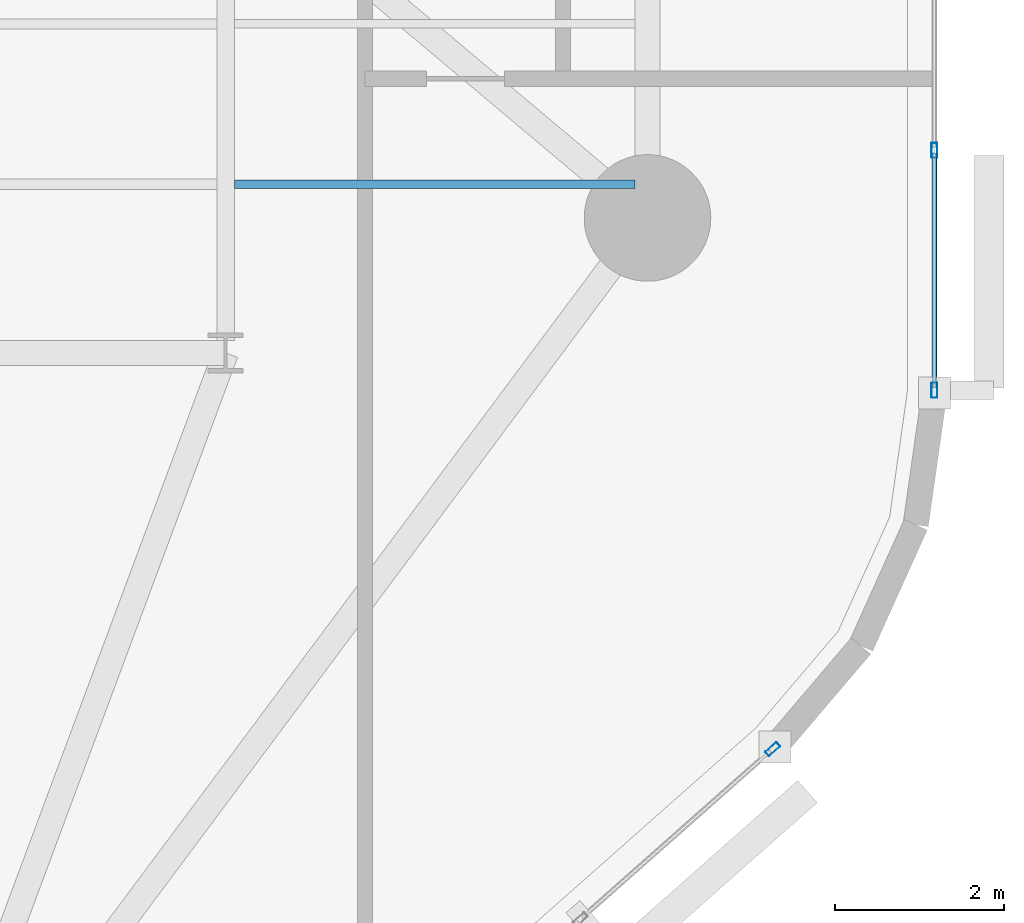
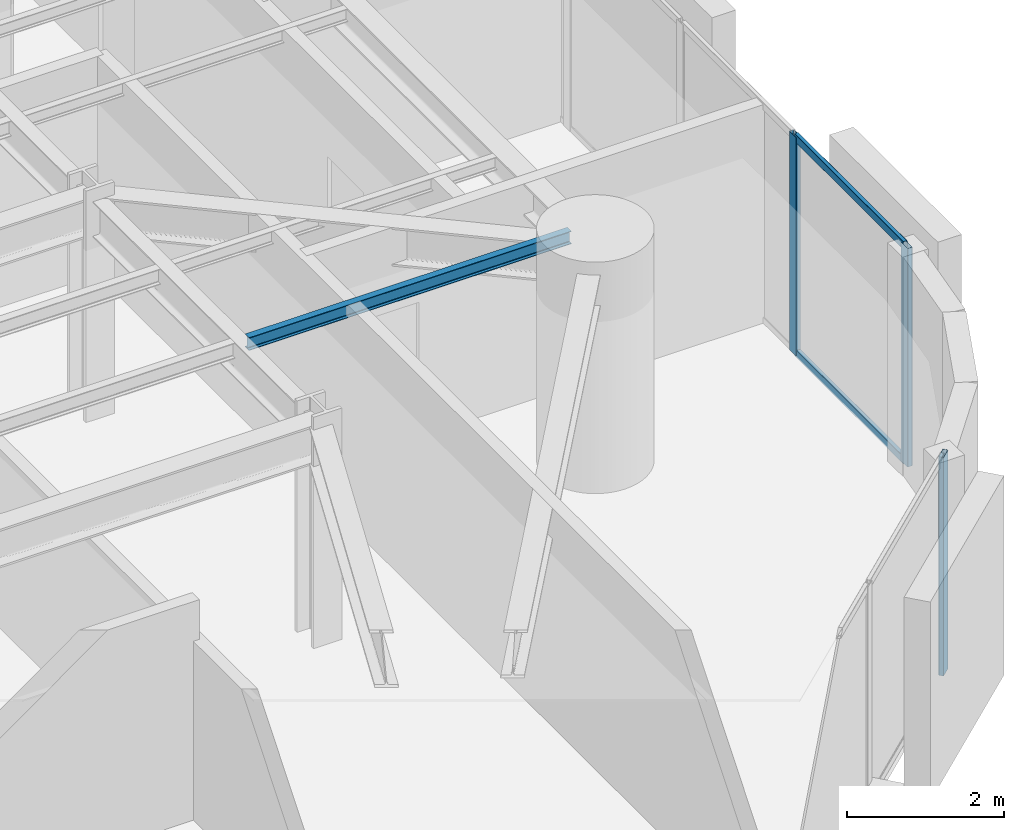
# One storey, part 4 of 16: 5 members, 1 beam, 2 elements without a shape of their own.
"""IFC4 building model written with IfcOpenShell, lengths in metres."""

import ifcopenshell
import ifcopenshell.guid

model = None  # the IFC model being written
_history = None  # IfcOwnerHistory: only IFC2X3 demands one
_inside = {}  # id of a spatial element -> (the spatial element, [elements in it])
_under = {}  # id of a project, library or spatial element -> (it, [spatial elements below it])
_declared = {}  # id of a project -> (the project, [libraries it declares])
_typed = {}  # id of a type object -> (the type object, [elements of that type])
_made_of = {}  # id of a material, layer set ... -> (it, [elements and type objects made of it])


def new_model(schema):
    """Start an empty IFC model of exactly this schema.

    Asked for "IFC4X3", IfcOpenShell would pick the latest addendum, in which some entities
    have other attributes; the version numbers below select the first issue.
    IFC2X3 requires an IfcOwnerHistory on every rooted entity: one is made here for all.
    """
    global model, _history
    if schema == "IFC4X3":
        model = ifcopenshell.file(schema_version=(4, 3, 0, 0))
    else:
        model = ifcopenshell.file(schema=schema)
    _inside.clear()
    _under.clear()
    _declared.clear()
    _typed.clear()
    _made_of.clear()
    _history = None
    if model.schema == "IFC2X3":
        org = make("IfcOrganization", Name="unknown")
        user = make(
            "IfcPersonAndOrganization",
            ThePerson=make("IfcPerson", FamilyName="unknown"),
            TheOrganization=org,
        )
        app = make(
            "IfcApplication",
            ApplicationDeveloper=org,
            Version="unknown",
            ApplicationFullName="unknown",
            ApplicationIdentifier="unknown",
        )
        _history = make(
            "IfcOwnerHistory",
            OwningUser=user,
            OwningApplication=app,
            ChangeAction="ADDED",
            CreationDate=0,
        )
    return model


def make(cls, **values):
    """One entity of the class cls with the attributes given. An attribute that is None is left unset."""
    return model.create_entity(
        cls, **{name: value for name, value in values.items() if value is not None}
    )


def rooted(cls, **values):
    """An entity with a GlobalId (a new one), such as an element, a storey or a relation."""
    return make(cls, GlobalId=ifcopenshell.guid.new(), OwnerHistory=_history, **values)


def si_unit(unit_type, name, prefix=None):
    """IfcSIUnit, for example si_unit("LENGTHUNIT", "METRE", prefix="MILLI")."""
    return make("IfcSIUnit", UnitType=unit_type, Prefix=prefix, Name=name)


def assignment(units):
    """IfcUnitAssignment: the units of a project."""
    return None if units is None else make("IfcUnitAssignment", Units=units)


def point(xyz):
    """IfcCartesianPoint."""
    return None if xyz is None else make("IfcCartesianPoint", Coordinates=xyz)


def direction(xyz):
    """IfcDirection."""
    return None if xyz is None else make("IfcDirection", DirectionRatios=xyz)


def frame(location, z_axis=None, x_axis=None):
    """IfcAxis2Placement3D, a coordinate frame: its origin and axes. An axis left out is left unset."""
    return make(
        "IfcAxis2Placement3D",
        Location=point(location),
        Axis=direction(z_axis),
        RefDirection=direction(x_axis),
    )


def frame_2d(location, x_axis=None):
    """IfcAxis2Placement2D, a coordinate frame in the plane: its origin and x axis."""
    return make(
        "IfcAxis2Placement2D", Location=point(location), RefDirection=direction(x_axis)
    )


def origin():
    """The frame at (0, 0, 0) with its axes left unset."""
    return frame((0.0, 0.0, 0.0))


def origin_2d():
    """The frame at (0, 0) in the plane with its x axis left unset."""
    return frame_2d((0.0, 0.0))


def place(relative_to, where):
    """IfcLocalPlacement: puts the frame where relative to a parent placement (None: the world)."""
    return make(
        "IfcLocalPlacement", PlacementRelTo=relative_to, RelativePlacement=where
    )


def context(
    kind, dimensions, precision=None, world=None, true_north=None, identifier=None
):
    """IfcGeometricRepresentationContext, for example the 3D "Model" context."""
    return make(
        "IfcGeometricRepresentationContext",
        ContextIdentifier=identifier,
        ContextType=kind,
        CoordinateSpaceDimension=dimensions,
        Precision=precision,
        WorldCoordinateSystem=world,
        TrueNorth=true_north,
    )


def subcontext(parent, identifier, kind, view, scale=None):
    """IfcGeometricRepresentationSubContext, for example "Body" below "Model"."""
    return make(
        "IfcGeometricRepresentationSubContext",
        ContextIdentifier=identifier,
        ContextType=kind,
        ParentContext=parent,
        TargetScale=scale,
        TargetView=view,
    )


def project(units=None, contexts=None):
    """IfcProject with its units and contexts."""
    return rooted(
        "IfcProject",
        Name="project",
        RepresentationContexts=contexts,
        UnitsInContext=assignment(units),
    )


def spatial(cls, under=None, at=None, **own):
    """A site, building, storey or space (cls), placed at a placement, below another one or the project."""
    s = rooted(cls, ObjectPlacement=at, **own)
    if under is not None:
        _under.setdefault(under.id(), (under, []))[1].append(s)
    return s


def profile(cls, at=None, kind="AREA", **sizes):
    """A parametric profile (cls). Its sizes go by their IFC names, for example OverallWidth=200.0."""
    return make(cls, ProfileType=kind, Position=at, **sizes)


def hollow_rectangle(**sizes):
    """IfcRectangleHollowProfileDef."""
    return profile("IfcRectangleHollowProfileDef", **sizes)


def i_section(**sizes):
    """IfcIShapeProfileDef."""
    return profile("IfcIShapeProfileDef", **sizes)


def extrude(swept, where, along, depth):
    """IfcExtrudedAreaSolid: the profile swept, set in the frame where, extruded along a direction by depth."""
    return make(
        "IfcExtrudedAreaSolid",
        SweptArea=swept,
        Position=where,
        ExtrudedDirection=direction(along),
        Depth=depth,
    )


def shape(context_of_items, identifier, shape_type, items):
    """IfcShapeRepresentation: the items that make up one representation, for example the "Body"."""
    return make(
        "IfcShapeRepresentation",
        ContextOfItems=context_of_items,
        RepresentationIdentifier=identifier,
        RepresentationType=shape_type,
        Items=items,
    )


def material(Name=None, Category=None):
    """IfcMaterial."""
    return make("IfcMaterial", Name=Name, Category=Category)


def layer(
    of_material, thickness, ventilated=None, Name=None, Category=None, Priority=None
):
    """IfcMaterialLayer: one layer of a wall or slab, of a material (None: an air gap)."""
    return make(
        "IfcMaterialLayer",
        Material=of_material,
        LayerThickness=thickness,
        IsVentilated=ventilated,
        Name=Name,
        Category=Category,
        Priority=Priority,
    )


def layer_set(layers, Name=None):
    """IfcMaterialLayerSet."""
    return make("IfcMaterialLayerSet", MaterialLayers=layers, LayerSetName=Name)


def material_profile(
    of_material, cross_section, Name=None, Category=None, Priority=None
):
    """IfcMaterialProfile: a cross section and its material."""
    return make(
        "IfcMaterialProfile",
        Name=Name,
        Material=of_material,
        Profile=cross_section,
        Priority=Priority,
        Category=Category,
    )


def profile_set(profiles, Name=None, composite=None):
    """IfcMaterialProfileSet."""
    return make(
        "IfcMaterialProfileSet",
        Name=Name,
        MaterialProfiles=profiles,
        CompositeProfile=composite,
    )


def made_of(thing, what):
    """Note that an element or type object is made of a material, layer set ...; save() writes the relation."""
    if what is not None:
        _made_of.setdefault(what.id(), (what, []))[1].append(thing)
    return thing


def type_object(cls, material=None, **own):
    """A type object (cls), such as IfcWallType, which elements share."""
    return made_of(rooted(cls, **own), material)


def element(
    cls,
    number,
    at=None,
    inside=None,
    cuts=None,
    type_object=None,
    material=None,
    context=None,
    identifier="Body",
    shape_type=None,
    held_by="IfcProductDefinitionShape",
    body=None,
    shapes=None,
    **own,
):
    """One element of the class cls, such as IfcWall. Its Tag is "e" and its number.

    at: its placement. inside: the storey or other place that contains it. cuts: it is an
    opening in that element (IfcRelVoidsElement). A single representation is given by context,
    identifier, shape_type and body (its items); several are given by shapes. held_by: the class
    of the entity that holds the representations. save() writes the other relations.
    """
    e = rooted(cls, Tag="e%d" % number, ObjectPlacement=at, **own)
    if body is not None:
        shapes = [shape(context, identifier, shape_type, body)]
    if shapes is not None:
        e.Representation = make(held_by, Representations=shapes)
    if inside is not None:
        _inside.setdefault(inside.id(), (inside, []))[1].append(e)
    if cuts is not None:
        rooted(
            "IfcRelVoidsElement", RelatingBuildingElement=cuts, RelatedOpeningElement=e
        )
    if type_object is not None:
        _typed.setdefault(type_object.id(), (type_object, []))[1].append(e)
    return made_of(e, material)


def aggregate(whole, parts):
    """IfcRelAggregates: a whole, such as a stair, and the parts it consists of."""
    return rooted("IfcRelAggregates", RelatingObject=whole, RelatedObjects=parts)


def save(model, path):
    """Write the relations noted so far, then the file.

    IfcRelAggregates (storeys below a building ...), IfcRelContainedInSpatialStructure (elements
    in a storey), IfcRelDefinesByType, IfcRelAssociatesMaterial and IfcRelDeclares: one each for
    every whole, place, type object, material and project.
    """
    for whole, parts in _under.values():
        aggregate(whole, parts)
    for where, things in _inside.values():
        rooted(
            "IfcRelContainedInSpatialStructure",
            RelatedElements=things,
            RelatingStructure=where,
        )
    for kind, things in _typed.values():
        rooted("IfcRelDefinesByType", RelatedObjects=things, RelatingType=kind)
    for what, things in _made_of.values():
        rooted("IfcRelAssociatesMaterial", RelatedObjects=things, RelatingMaterial=what)
    for by, libraries in _declared.values():
        rooted("IfcRelDeclares", RelatingContext=by, RelatedDefinitions=libraries)
    model.write(path)


model = new_model("IFC4")

# Units and contexts
model_context = context("Model", 3, precision=1e-05, world=origin(), true_north=direction((0.0, 1.0)))
body_context = subcontext(model_context, "Body", "Model", "MODEL_VIEW")
ifc_project = project(units=[si_unit("LENGTHUNIT", "METRE"), si_unit("AREAUNIT", "SQUARE_METRE"), si_unit("VOLUMEUNIT", "CUBIC_METRE"), si_unit("PLANEANGLEUNIT", "RADIAN"), si_unit("MASSUNIT", "GRAM", prefix="KILO")], contexts=[model_context])

# Site, building, storey
site_placement = place(None, origin())
site = spatial("IfcSite", under=ifc_project, at=site_placement, CompositionType="ELEMENT")
building_placement = place(site_placement, origin())
building = spatial("IfcBuilding", under=site, at=building_placement, Name="An Khanh Terracotta Commons", CompositionType="ELEMENT")
storey_placement = place(building_placement, frame((0.0, 0.0, 54.0)))
storey = spatial("IfcBuildingStorey", under=building, at=storey_placement, Name="L14", CompositionType="ELEMENT", Elevation=54.0)

# Beam
ifc_material_1 = material(Name="Steel S355J2", Category="steel")
ifc_material_profile_1 = material_profile(ifc_material_1, i_section(OverallWidth=0.10009765625, OverallDepth=0.199951171875, WebThickness=0.005615234375, FlangeThickness=0.008544921875, FilletRadius=0.011962890625, at=origin_2d()), Name="IPE200")
ifc_profile_set_1 = profile_set([ifc_material_profile_1], Name="Steel S355J2")
beam_type = type_object("IfcBeamType", Name="BM-IPE200", PredefinedType="JOIST", material=ifc_profile_set_1)
beam_placement = place(storey_placement, frame((43.304931640625, 16.39990234375, 3.300048828125), z_axis=(1.0, 0.0, 0.0), x_axis=(0.0, 1.0, 0.0)))
element("IfcBeam", 1, at=beam_placement, inside=storey, type_object=beam_type, Name="L14 Riverfront Composite Joist 1", PredefinedType="JOIST", context=body_context, shape_type="SweptSolid", body=[
    extrude(i_section(OverallWidth=0.10009765625, OverallDepth=0.199951171875, WebThickness=0.005615234375, FlangeThickness=0.008544921875, FilletRadius=0.011962890625, at=origin_2d()), origin(), (0.0, 0.0, 1.0), 4.7451171875),
])

# Curtain wall, member
ifc_material_2 = material(Name="Anodised Aluminium 6063-T6", Category="aluminium")
ifc_layer = layer(ifc_material_2, 0.199951171875, Name="Anodised Aluminium 6063-T6")
ifc_layer_set = layer_set([ifc_layer], Name="Anodised Aluminium 6063-T6")
curtain_wall_type = type_object("IfcCurtainWallType", Name="CW-SYS-02", PredefinedType="USERDEFINED", material=ifc_layer_set)
curtain_wall_1_placement = place(storey_placement, origin())
curtain_wall_1 = element("IfcCurtainWall", 2, at=curtain_wall_1_placement, inside=storey, type_object=curtain_wall_type, Name="L14 CW-02 Unitised Curtain Wall CW-L14-08", ObjectType="UNITISED CURTAIN WALL", PredefinedType="USERDEFINED")
ifc_material_profile_2 = material_profile(ifc_material_2, hollow_rectangle(XDim=0.070068359375, YDim=0.179931640625, WallThickness=0.00390625, InnerFilletRadius=0.00390625, OuterFilletRadius=0.008056640625, at=origin_2d()), Name="RHS180x70x4")
ifc_profile_set_2 = profile_set([ifc_material_profile_2], Name="Anodised Aluminium 6063-T6")
member_type_1 = type_object("IfcMemberType", Name="CWM-RHS180x70x4", PredefinedType="MULLION", material=ifc_profile_set_2)
member_1_placement = place(storey_placement, frame((49.683837890625, 9.704833984375, 0.0), z_axis=(0.0, 0.0, 1.0), x_axis=(-0.662548195415, 0.749019284633, 0.0)))
member_1 = element("IfcMember", 3, at=member_1_placement, type_object=member_type_1, Name="CW-02 mullion 4", PredefinedType="MULLION", context=body_context, shape_type="SweptSolid", body=[
    extrude(hollow_rectangle(XDim=0.070068359375, YDim=0.179931640625, WallThickness=0.00390625, InnerFilletRadius=0.00390625, OuterFilletRadius=0.008056640625, at=origin_2d()), origin(), (0.0, 0.0, 1.0), 3.39990234375),
])
aggregate(curtain_wall_1, [member_1])

# Curtain wall, members
curtain_wall_2_placement = place(storey_placement, origin())
curtain_wall_2 = element("IfcCurtainWall", 4, at=curtain_wall_2_placement, inside=storey, type_object=curtain_wall_type, Name="L14 CW-02 Unitised Curtain Wall CW-L14-12", ObjectType="UNITISED CURTAIN WALL", PredefinedType="USERDEFINED")
member_2_placement = place(storey_placement, frame((51.60009765625, 13.9580078125, 0.0), z_axis=(0.0, 0.0, 1.0), x_axis=(-1.0, 0.0, 0.0)))
member_2 = element("IfcMember", 5, at=member_2_placement, type_object=member_type_1, Name="CW-02 mullion 1", PredefinedType="MULLION", context=body_context, shape_type="SweptSolid", body=[
    extrude(hollow_rectangle(XDim=0.070068359375, YDim=0.179931640625, WallThickness=0.00390625, InnerFilletRadius=0.00390625, OuterFilletRadius=0.008056640625, at=origin_2d()), origin(), (0.0, 0.0, 1.0), 3.39990234375),
])
member_3_placement = place(storey_placement, frame((51.60009765625, 16.80224609375, 0.0), z_axis=(0.0, 0.0, 1.0), x_axis=(-1.0, 0.0, 0.0)))
member_3 = element("IfcMember", 6, at=member_3_placement, type_object=member_type_1, Name="CW-02 mullion 2", PredefinedType="MULLION", context=body_context, shape_type="SweptSolid", body=[
    extrude(hollow_rectangle(XDim=0.070068359375, YDim=0.179931640625, WallThickness=0.00390625, InnerFilletRadius=0.00390625, OuterFilletRadius=0.008056640625, at=origin_2d()), origin(), (0.0, 0.0, 1.0), 3.39990234375),
])
ifc_material_profile_3 = material_profile(ifc_material_2, hollow_rectangle(XDim=0.06005859375, YDim=0.1201171875, WallThickness=0.003662109375, InnerFilletRadius=0.003662109375, OuterFilletRadius=0.007080078125, at=origin_2d()), Name="RHS120x60x3.6")
ifc_profile_set_3 = profile_set([ifc_material_profile_3], Name="Anodised Aluminium 6063-T6")
member_type_2 = type_object("IfcMemberType", Name="CWT-RHS120x60x3.6", PredefinedType="USERDEFINED", material=ifc_profile_set_3)
member_4_placement = place(storey_placement, frame((51.60009765625, 13.992919921875, 0.030029296875), z_axis=(0.0, 1.0, 0.0), x_axis=(-1.0, 0.0, 0.0)))
member_4 = element("IfcMember", 7, at=member_4_placement, type_object=member_type_2, Name="CW-02 transom 1.1", ObjectType="TRANSOM", PredefinedType="USERDEFINED", context=body_context, shape_type="SweptSolid", body=[
    extrude(hollow_rectangle(XDim=0.06005859375, YDim=0.1201171875, WallThickness=0.003662109375, InnerFilletRadius=0.003662109375, OuterFilletRadius=0.007080078125, at=origin_2d()), origin(), (0.0, 0.0, 1.0), 2.774169921875),
])
member_5_placement = place(storey_placement, frame((51.60009765625, 13.992919921875, 3.3701171875), z_axis=(0.0, 1.0, 0.0), x_axis=(-1.0, 0.0, 0.0)))
member_5 = element("IfcMember", 8, at=member_5_placement, type_object=member_type_2, Name="CW-02 transom 1.2", ObjectType="TRANSOM", PredefinedType="USERDEFINED", context=body_context, shape_type="SweptSolid", body=[
    extrude(hollow_rectangle(XDim=0.06005859375, YDim=0.1201171875, WallThickness=0.003662109375, InnerFilletRadius=0.003662109375, OuterFilletRadius=0.007080078125, at=origin_2d()), origin(), (0.0, 0.0, 1.0), 2.774169921875),
])
aggregate(curtain_wall_2, [member_2, member_3, member_4, member_5])

save(model, "model.ifc")
